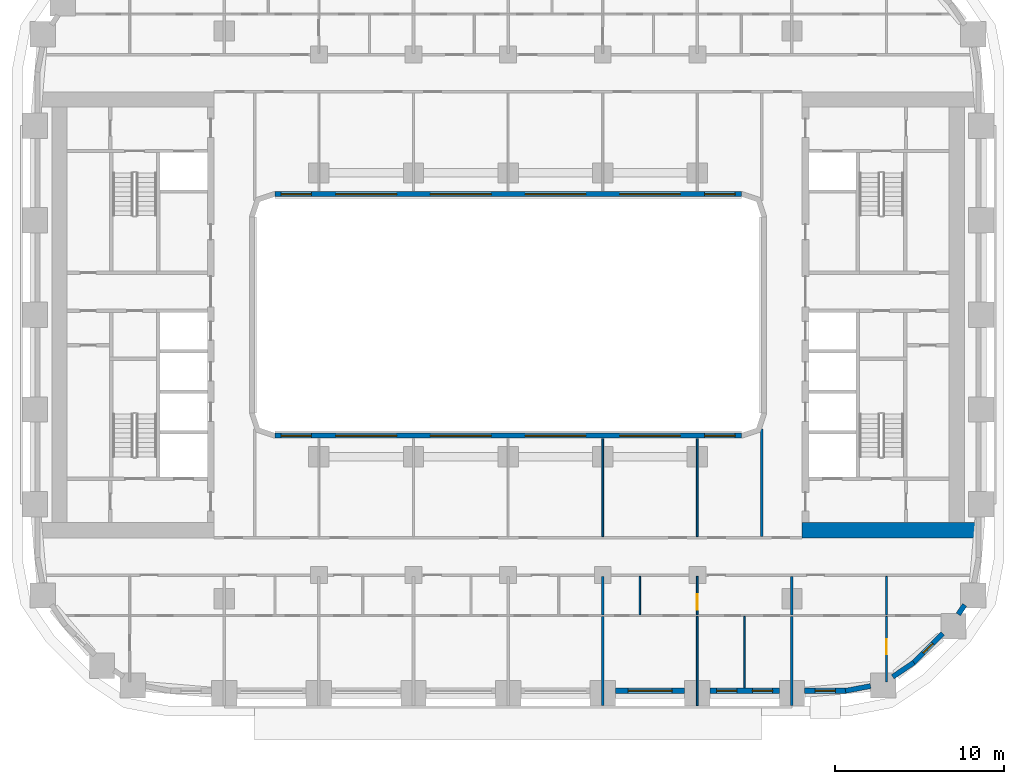
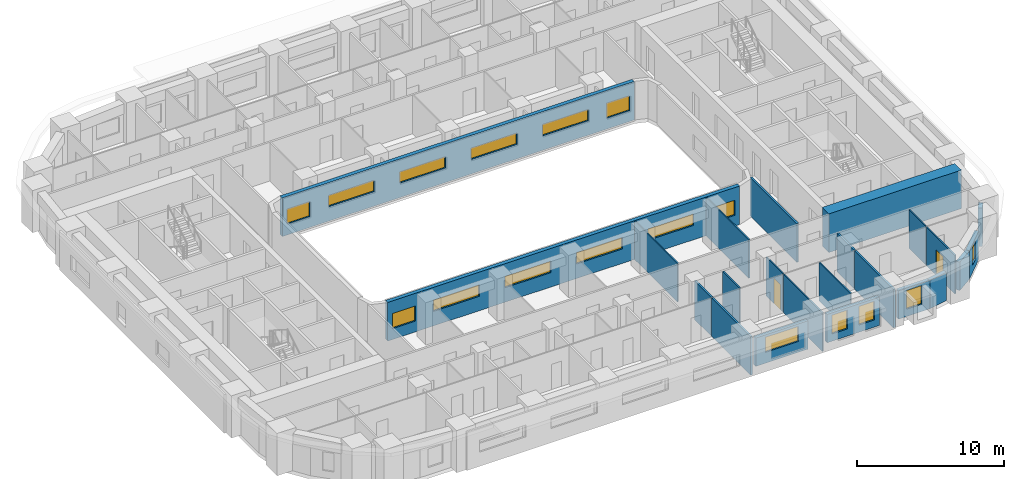
# One storey, part 5 of 21: 23 walls, 17 windows, 2 doors, 19 openings.
"""IFC4 building model written with IfcOpenShell, lengths in metres."""

from ifc_helpers import new_model, si_unit, direction, frame, frame_2d, origin, place, context, subcontext, project, spatial, rectangle, extrude, material, layer, layer_set, type_object, element, fill, save


model = new_model("IFC4")

# Units and contexts
model_context = context("Model", 3, precision=1e-05, world=origin(), true_north=direction((0.0, 1.0)))
body_context = subcontext(model_context, "Body", "Model", "MODEL_VIEW")
ifc_project = project(units=[si_unit("LENGTHUNIT", "METRE"), si_unit("AREAUNIT", "SQUARE_METRE"), si_unit("VOLUMEUNIT", "CUBIC_METRE"), si_unit("PLANEANGLEUNIT", "RADIAN"), si_unit("MASSUNIT", "GRAM", prefix="KILO")], contexts=[model_context])

# Site, building, storey
site_placement = place(None, origin())
site = spatial("IfcSite", under=ifc_project, at=site_placement, CompositionType="ELEMENT")
building_placement = place(site_placement, origin())
building = spatial("IfcBuilding", under=site, at=building_placement, Name="Kiln Ring Residences", CompositionType="ELEMENT")
storey_placement = place(building_placement, frame((0.0, 0.0, 34.0)))
storey = spatial("IfcBuildingStorey", under=building, at=storey_placement, Name="L07", CompositionType="ELEMENT", Elevation=34.0)

# Wall
ifc_material_1 = material(Name="Concrete C60/75", Category="concrete")
ifc_layer_1 = layer(ifc_material_1, 0.89990234375)
ifc_layer_set_1 = layer_set([ifc_layer_1], Name="CORE-WALL-RC900")
wall_type_1 = type_object("IfcWallType", Name="CORE-WALL-RC900", PredefinedType="SHEAR", material=ifc_layer_set_1)
wall_1_placement = place(storey_placement, frame((17.39990234375, -12.75, 0.0), z_axis=(0.0, 0.0, 1.0), x_axis=(1.0, 0.0, 0.0)))
element("IfcWall", 1, at=wall_1_placement, inside=storey, type_object=wall_type_1, Name="Core wall east L07 5", PredefinedType="SHEAR", context=body_context, shape_type="SweptSolid", body=[
    extrude(rectangle(XDim=10.400146484375, YDim=0.89990234375, at=frame_2d((5.2001953125, 0.0))), origin(), (0.0, 0.0, 1.0), 3.199951171875),
])

# Wall, opening, window
ifc_material_2 = material(Name="Brick masonry, dark clay brick", Category="masonry")
ifc_layer_2 = layer(ifc_material_2, 0.300048828125)
ifc_layer_set_2 = layer_set([ifc_layer_2], Name="EW-300 BRICK WALL")
wall_type_2 = type_object("IfcWallType", Name="EW-300 BRICK WALL", PredefinedType="SOLIDWALL", material=ifc_layer_set_2)
wall_2_placement = place(storey_placement, frame((6.35009765625, -22.25, 0.0), z_axis=(0.0, 0.0, 1.0), x_axis=(1.0, 0.0, 0.0)))
wall_2 = element("IfcWall", 2, at=wall_2_placement, inside=storey, type_object=wall_type_2, Name="Facade wall L07 9", PredefinedType="SOLIDWALL", context=body_context, shape_type="SweptSolid", body=[
    extrude(rectangle(XDim=4.099853515625, YDim=0.300048828125, at=frame_2d((2.0498046875, 0.0))), origin(), (0.0, 0.0, 1.0), 2.35009765625),
])
opening_1_placement = place(wall_2_placement, frame((0.75, 0.0, 0.89990234375)))
opening_1 = element("IfcOpeningElement", 3, at=opening_1_placement, cuts=wall_2, Name="Opening W3", PredefinedType="OPENING", context=body_context, shape_type="SweptSolid", body=[
    extrude(rectangle(XDim=2.60009765625, YDim=1.25, at=frame_2d((1.300048828125, 0.625))), frame((0.0, 0.159912109375, 0.0), z_axis=(0.0, -1.0, 0.0), x_axis=(1.0, 0.0, 0.0)), (0.0, 0.0, 1.0), 0.320068359375),
])
ifc_material_3 = material(Name="Aluminium frame with double glazing", Category="aluminium")
window_type_1 = type_object("IfcWindowType", Name="WINDOW 2600 x 1250", PartitioningType="SINGLE_PANEL", PredefinedType="WINDOW", material=ifc_material_3)
window_1_placement = place(opening_1_placement, origin())
window_1 = element("IfcWindow", 4, at=window_1_placement, inside=storey, type_object=window_type_1, Name="Window L07 7", OverallHeight=1.25, OverallWidth=2.60009765625, PartitioningType="SINGLE_PANEL", PredefinedType="WINDOW", context=body_context, shape_type="SweptSolid", body=[
    extrude(rectangle(XDim=2.60009765625, YDim=1.25, at=frame_2d((1.300048828125, 0.625))), frame((0.0, 0.030029296875, 0.0), z_axis=(0.0, -1.0, 0.0), x_axis=(1.0, 0.0, 0.0)), (0.0, 0.0, 1.0), 0.06005859375),
])
fill(opening_1, window_1)

# Wall, openings, windows
wall_3_placement = place(storey_placement, frame((11.949951171875, -22.25, 0.0), z_axis=(0.0, 0.0, 1.0), x_axis=(1.0, 0.0, 0.0)))
wall_3 = element("IfcWall", 5, at=wall_3_placement, inside=storey, type_object=wall_type_2, Name="Facade wall L07 10", PredefinedType="SOLIDWALL", context=body_context, shape_type="SweptSolid", body=[
    extrude(rectangle(XDim=4.10009765625, YDim=0.300048828125, at=frame_2d((2.050048828125, 0.0))), origin(), (0.0, 0.0, 1.0), 2.35009765625),
])
opening_2_placement = place(wall_3_placement, frame((0.387451171875, 0.0, 0.60009765625)))
opening_2 = element("IfcOpeningElement", 6, at=opening_2_placement, cuts=wall_3, Name="Opening W1", PredefinedType="OPENING", context=body_context, shape_type="SweptSolid", body=[
    extrude(rectangle(XDim=1.199951171875, YDim=1.550048828125, at=frame_2d((0.60009765625, 0.77490234375))), frame((0.0, 0.159912109375, 0.0), z_axis=(0.0, -1.0, 0.0), x_axis=(1.0, 0.0, 0.0)), (0.0, 0.0, 1.0), 0.320068359375),
])
opening_3_placement = place(wall_3_placement, frame((2.512451171875, 0.0, 0.60009765625)))
opening_3 = element("IfcOpeningElement", 7, at=opening_3_placement, cuts=wall_3, Name="Opening W1", PredefinedType="OPENING", context=body_context, shape_type="SweptSolid", body=[
    extrude(rectangle(XDim=1.199951171875, YDim=1.550048828125, at=frame_2d((0.60009765625, 0.77490234375))), frame((0.0, 0.159912109375, 0.0), z_axis=(0.0, -1.0, 0.0), x_axis=(1.0, 0.0, 0.0)), (0.0, 0.0, 1.0), 0.320068359375),
])
ifc_material_4 = material(Name="Aluminium frame with double glazing", Category="aluminium")
window_type_2 = type_object("IfcWindowType", Name="WINDOW 1200 x 1550", PartitioningType="SINGLE_PANEL", PredefinedType="WINDOW", material=ifc_material_4)
window_2_placement = place(opening_2_placement, origin())
window_2 = element("IfcWindow", 8, at=window_2_placement, inside=storey, type_object=window_type_2, Name="Window L07 8", OverallHeight=1.550048828125, OverallWidth=1.199951171875, PartitioningType="SINGLE_PANEL", PredefinedType="WINDOW", context=body_context, shape_type="SweptSolid", body=[
    extrude(rectangle(XDim=1.199951171875, YDim=1.550048828125, at=frame_2d((0.60009765625, 0.77490234375))), frame((0.0, 0.030029296875, 0.0), z_axis=(0.0, -1.0, 0.0), x_axis=(1.0, 0.0, 0.0)), (0.0, 0.0, 1.0), 0.06005859375),
])
fill(opening_2, window_2)
window_3_placement = place(opening_3_placement, origin())
window_3 = element("IfcWindow", 9, at=window_3_placement, inside=storey, type_object=window_type_2, Name="Window L07 9", OverallHeight=1.550048828125, OverallWidth=1.199951171875, PartitioningType="SINGLE_PANEL", PredefinedType="WINDOW", context=body_context, shape_type="SweptSolid", body=[
    extrude(rectangle(XDim=1.199951171875, YDim=1.550048828125, at=frame_2d((0.60009765625, 0.77490234375))), frame((0.0, 0.030029296875, 0.0), z_axis=(0.0, -1.0, 0.0), x_axis=(1.0, 0.0, 0.0)), (0.0, 0.0, 1.0), 0.06005859375),
])
fill(opening_3, window_3)

# Wall, opening, window
wall_4_placement = place(storey_placement, frame((17.550048828125, -22.25, 0.0), z_axis=(0.0, 0.0, 1.0), x_axis=(1.0, 0.0, 0.0)))
wall_4 = element("IfcWall", 10, at=wall_4_placement, inside=storey, type_object=wall_type_2, Name="Facade wall L07 11", PredefinedType="SOLIDWALL", context=body_context, shape_type="SweptSolid", body=[
    extrude(rectangle(XDim=2.449951171875, YDim=0.300048828125, at=frame_2d((1.22509765625, 0.0))), origin(), (0.0, 0.0, 1.0), 2.35009765625),
])
opening_4_placement = place(wall_4_placement, frame((0.625, 0.0, 0.60009765625)))
opening_4 = element("IfcOpeningElement", 11, at=opening_4_placement, cuts=wall_4, Name="Opening W1", PredefinedType="OPENING", context=body_context, shape_type="SweptSolid", body=[
    extrude(rectangle(XDim=1.199951171875, YDim=1.550048828125, at=frame_2d((0.60009765625, 0.77490234375))), frame((0.0, 0.159912109375, 0.0), z_axis=(0.0, -1.0, 0.0), x_axis=(1.0, 0.0, 0.0)), (0.0, 0.0, 1.0), 0.320068359375),
])
window_4_placement = place(opening_4_placement, origin())
window_4 = element("IfcWindow", 12, at=window_4_placement, inside=storey, type_object=window_type_2, Name="Window L07 10", OverallHeight=1.550048828125, OverallWidth=1.199951171875, PartitioningType="SINGLE_PANEL", PredefinedType="WINDOW", context=body_context, shape_type="SweptSolid", body=[
    extrude(rectangle(XDim=1.199951171875, YDim=1.550048828125, at=frame_2d((0.60009765625, 0.77490234375))), frame((0.0, 0.030029296875, 0.0), z_axis=(0.0, -1.0, 0.0), x_axis=(1.0, 0.0, 0.0)), (0.0, 0.0, 1.0), 0.06005859375),
])
fill(opening_4, window_4)

# Walls
for number, where, z_axis, x_axis, name in (
    (13, (19.971923828125, -22.252685546875, 0.0), (0.0, 0.0, 1.0), (0.982287454367, 0.187380247071, 0.0), "Facade wall L07 12"),
    (14, (22.76708984375, -21.425537109375, 0.0), (0.0, 0.0, 1.0), (0.827028997312, 0.562159263559, 0.0), "Facade wall L07 13"),
):
    element("IfcWall", number, at=place(storey_placement, frame(where, z_axis=z_axis, x_axis=x_axis)), inside=storey, type_object=wall_type_2, Name=name, PredefinedType="SOLIDWALL", context=body_context, shape_type="SweptSolid", body=[
        extrude(rectangle(XDim=1.506103515625, YDim=0.300048828125, at=frame_2d((0.7529296875, 0.0))), origin(), (0.0, 0.0, 1.0), 2.35009765625),
    ])

# Wall, opening, window
wall_5_placement = place(storey_placement, frame((23.990966796875, -20.596923828125, 0.0), z_axis=(0.0, 0.0, 1.0), x_axis=(0.707106781187, 0.707106781187, 0.0)))
wall_5 = element("IfcWall", 15, at=wall_5_placement, inside=storey, type_object=wall_type_2, Name="Facade wall L07 14", PredefinedType="SOLIDWALL", context=body_context, shape_type="SweptSolid", body=[
    extrude(rectangle(XDim=2.449951171875, YDim=0.300048828125, at=frame_2d((1.22509765625, 0.0))), origin(), (0.0, 0.0, 1.0), 2.35009765625),
])
opening_5_placement = place(wall_5_placement, frame((0.824951171875, 0.0, 0.60009765625)))
opening_5 = element("IfcOpeningElement", 16, at=opening_5_placement, cuts=wall_5, Name="Opening W5", PredefinedType="OPENING", context=body_context, shape_type="SweptSolid", body=[
    extrude(rectangle(XDim=0.800048828125, YDim=1.550048828125, at=frame_2d((0.39990234375, 0.77490234375))), frame((0.0, 0.159912109375, 0.0), z_axis=(0.0, -1.0, 0.0), x_axis=(1.0, 0.0, 0.0)), (0.0, 0.0, 1.0), 0.320068359375),
])
ifc_material_5 = material(Name="Aluminium frame with double glazing", Category="aluminium")
window_type_3 = type_object("IfcWindowType", Name="WINDOW 800 x 1550", PartitioningType="SINGLE_PANEL", PredefinedType="WINDOW", material=ifc_material_5)
window_5_placement = place(opening_5_placement, origin())
window_5 = element("IfcWindow", 17, at=window_5_placement, inside=storey, type_object=window_type_3, Name="Window L07 11", OverallHeight=1.550048828125, OverallWidth=0.800048828125, PartitioningType="SINGLE_PANEL", PredefinedType="WINDOW", context=body_context, shape_type="SweptSolid", body=[
    extrude(rectangle(XDim=0.800048828125, YDim=1.550048828125, at=frame_2d((0.39990234375, 0.77490234375))), frame((0.0, 0.030029296875, 0.0), z_axis=(0.0, -1.0, 0.0), x_axis=(1.0, 0.0, 0.0)), (0.0, 0.0, 1.0), 0.06005859375),
])
fill(opening_5, window_5)

# Wall
wall_6_placement = place(storey_placement, frame((26.644775390625, -17.72705078125, 0.0), z_axis=(0.0, 0.0, 1.0), x_axis=(0.562083182981, 0.827080706709, 0.0)))
element("IfcWall", 18, at=wall_6_placement, inside=storey, type_object=wall_type_2, Name="Facade wall L07 15", PredefinedType="SOLIDWALL", context=body_context, shape_type="SweptSolid", body=[
    extrude(rectangle(XDim=0.67724609375, YDim=0.300048828125, at=frame_2d((0.338623046875, 0.0))), origin(), (0.0, 0.0, 1.0), 3.199951171875),
])

# Wall, openings, windows
wall_7_placement = place(storey_placement, frame((-13.800048828125, 7.14990234375, 0.0), z_axis=(0.0, 0.0, 1.0), x_axis=(1.0, 0.0, 0.0)))
wall_7 = element("IfcWall", 19, at=wall_7_placement, inside=storey, type_object=wall_type_2, Name="Facade wall L07 50", PredefinedType="SOLIDWALL", context=body_context, shape_type="SweptSolid", body=[
    extrude(rectangle(XDim=27.60009765625, YDim=0.300048828125, at=frame_2d((13.800048828125, 0.0))), origin(), (0.0, 0.0, 1.0), 3.199951171875),
])
opening_6_placement = place(wall_7_placement, frame((0.362548828125, 0.0, 0.89990234375)))
opening_6 = element("IfcOpeningElement", 20, at=opening_6_placement, cuts=wall_7, Name="Opening W2", PredefinedType="OPENING", context=body_context, shape_type="SweptSolid", body=[
    extrude(rectangle(XDim=1.800048828125, YDim=1.25, at=frame_2d((0.89990234375, 0.625))), frame((0.0, 0.159912109375, 0.0), z_axis=(0.0, -1.0, 0.0), x_axis=(1.0, 0.0, 0.0)), (0.0, 0.0, 1.0), 0.320068359375),
])
opening_7_placement = place(wall_7_placement, frame((3.60009765625, 0.0, 1.199951171875)))
opening_7 = element("IfcOpeningElement", 21, at=opening_7_placement, cuts=wall_7, Name="Opening W4", PredefinedType="OPENING", context=body_context, shape_type="SweptSolid", body=[
    extrude(rectangle(XDim=3.60009765625, YDim=0.949951171875, at=frame_2d((1.800048828125, 0.47509765625))), frame((0.0, 0.159912109375, 0.0), z_axis=(0.0, -1.0, 0.0), x_axis=(1.0, 0.0, 0.0)), (0.0, 0.0, 1.0), 0.320068359375),
])
opening_8_placement = place(wall_7_placement, frame((9.199951171875, 0.0, 1.199951171875)))
opening_8 = element("IfcOpeningElement", 22, at=opening_8_placement, cuts=wall_7, Name="Opening W4", PredefinedType="OPENING", context=body_context, shape_type="SweptSolid", body=[
    extrude(rectangle(XDim=3.60009765625, YDim=0.949951171875, at=frame_2d((1.800048828125, 0.47509765625))), frame((0.0, 0.159912109375, 0.0), z_axis=(0.0, -1.0, 0.0), x_axis=(1.0, 0.0, 0.0)), (0.0, 0.0, 1.0), 0.320068359375),
])
opening_9_placement = place(wall_7_placement, frame((14.800048828125, 0.0, 1.199951171875)))
opening_9 = element("IfcOpeningElement", 23, at=opening_9_placement, cuts=wall_7, Name="Opening W4", PredefinedType="OPENING", context=body_context, shape_type="SweptSolid", body=[
    extrude(rectangle(XDim=3.60009765625, YDim=0.949951171875, at=frame_2d((1.800048828125, 0.47509765625))), frame((0.0, 0.159912109375, 0.0), z_axis=(0.0, -1.0, 0.0), x_axis=(1.0, 0.0, 0.0)), (0.0, 0.0, 1.0), 0.320068359375),
])
opening_10_placement = place(wall_7_placement, frame((20.39990234375, 0.0, 1.199951171875)))
opening_10 = element("IfcOpeningElement", 24, at=opening_10_placement, cuts=wall_7, Name="Opening W4", PredefinedType="OPENING", context=body_context, shape_type="SweptSolid", body=[
    extrude(rectangle(XDim=3.60009765625, YDim=0.949951171875, at=frame_2d((1.800048828125, 0.47509765625))), frame((0.0, 0.159912109375, 0.0), z_axis=(0.0, -1.0, 0.0), x_axis=(1.0, 0.0, 0.0)), (0.0, 0.0, 1.0), 0.320068359375),
])
opening_11_placement = place(wall_7_placement, frame((25.4375, 0.0, 0.89990234375)))
opening_11 = element("IfcOpeningElement", 25, at=opening_11_placement, cuts=wall_7, Name="Opening W2", PredefinedType="OPENING", context=body_context, shape_type="SweptSolid", body=[
    extrude(rectangle(XDim=1.800048828125, YDim=1.25, at=frame_2d((0.89990234375, 0.625))), frame((0.0, 0.159912109375, 0.0), z_axis=(0.0, -1.0, 0.0), x_axis=(1.0, 0.0, 0.0)), (0.0, 0.0, 1.0), 0.320068359375),
])
ifc_material_6 = material(Name="Aluminium frame with double glazing", Category="aluminium")
window_type_4 = type_object("IfcWindowType", Name="WINDOW 1800 x 1250", PartitioningType="SINGLE_PANEL", PredefinedType="WINDOW", material=ifc_material_6)
window_6_placement = place(opening_6_placement, origin())
window_6 = element("IfcWindow", 26, at=window_6_placement, inside=storey, type_object=window_type_4, Name="Window L07 24", OverallHeight=1.25, OverallWidth=1.800048828125, PartitioningType="SINGLE_PANEL", PredefinedType="WINDOW", context=body_context, shape_type="SweptSolid", body=[
    extrude(rectangle(XDim=1.800048828125, YDim=1.25, at=frame_2d((0.89990234375, 0.625))), frame((0.0, 0.030029296875, 0.0), z_axis=(0.0, -1.0, 0.0), x_axis=(1.0, 0.0, 0.0)), (0.0, 0.0, 1.0), 0.06005859375),
])
fill(opening_6, window_6)
window_7_placement = place(opening_11_placement, origin())
window_7 = element("IfcWindow", 27, at=window_7_placement, inside=storey, type_object=window_type_4, Name="Window L07 29", OverallHeight=1.25, OverallWidth=1.800048828125, PartitioningType="SINGLE_PANEL", PredefinedType="WINDOW", context=body_context, shape_type="SweptSolid", body=[
    extrude(rectangle(XDim=1.800048828125, YDim=1.25, at=frame_2d((0.89990234375, 0.625))), frame((0.0, 0.030029296875, 0.0), z_axis=(0.0, -1.0, 0.0), x_axis=(1.0, 0.0, 0.0)), (0.0, 0.0, 1.0), 0.06005859375),
])
fill(opening_11, window_7)
ifc_material_7 = material(Name="Aluminium frame with double glazing", Category="aluminium")
window_type_5 = type_object("IfcWindowType", Name="WINDOW 3600 x 950", PartitioningType="SINGLE_PANEL", PredefinedType="WINDOW", material=ifc_material_7)
window_8_placement = place(opening_7_placement, origin())
window_8 = element("IfcWindow", 28, at=window_8_placement, inside=storey, type_object=window_type_5, Name="Window L07 25", OverallHeight=0.949951171875, OverallWidth=3.60009765625, PartitioningType="SINGLE_PANEL", PredefinedType="WINDOW", context=body_context, shape_type="SweptSolid", body=[
    extrude(rectangle(XDim=3.60009765625, YDim=0.949951171875, at=frame_2d((1.800048828125, 0.47509765625))), frame((0.0, 0.030029296875, 0.0), z_axis=(0.0, -1.0, 0.0), x_axis=(1.0, 0.0, 0.0)), (0.0, 0.0, 1.0), 0.06005859375),
])
fill(opening_7, window_8)
window_9_placement = place(opening_8_placement, origin())
window_9 = element("IfcWindow", 29, at=window_9_placement, inside=storey, type_object=window_type_5, Name="Window L07 26", OverallHeight=0.949951171875, OverallWidth=3.60009765625, PartitioningType="SINGLE_PANEL", PredefinedType="WINDOW", context=body_context, shape_type="SweptSolid", body=[
    extrude(rectangle(XDim=3.60009765625, YDim=0.949951171875, at=frame_2d((1.800048828125, 0.47509765625))), frame((0.0, 0.030029296875, 0.0), z_axis=(0.0, -1.0, 0.0), x_axis=(1.0, 0.0, 0.0)), (0.0, 0.0, 1.0), 0.06005859375),
])
fill(opening_8, window_9)
window_10_placement = place(opening_9_placement, origin())
window_10 = element("IfcWindow", 30, at=window_10_placement, inside=storey, type_object=window_type_5, Name="Window L07 27", OverallHeight=0.949951171875, OverallWidth=3.60009765625, PartitioningType="SINGLE_PANEL", PredefinedType="WINDOW", context=body_context, shape_type="SweptSolid", body=[
    extrude(rectangle(XDim=3.60009765625, YDim=0.949951171875, at=frame_2d((1.800048828125, 0.47509765625))), frame((0.0, 0.030029296875, 0.0), z_axis=(0.0, -1.0, 0.0), x_axis=(1.0, 0.0, 0.0)), (0.0, 0.0, 1.0), 0.06005859375),
])
fill(opening_9, window_10)
window_11_placement = place(opening_10_placement, origin())
window_11 = element("IfcWindow", 31, at=window_11_placement, inside=storey, type_object=window_type_5, Name="Window L07 28", OverallHeight=0.949951171875, OverallWidth=3.60009765625, PartitioningType="SINGLE_PANEL", PredefinedType="WINDOW", context=body_context, shape_type="SweptSolid", body=[
    extrude(rectangle(XDim=3.60009765625, YDim=0.949951171875, at=frame_2d((1.800048828125, 0.47509765625))), frame((0.0, 0.030029296875, 0.0), z_axis=(0.0, -1.0, 0.0), x_axis=(1.0, 0.0, 0.0)), (0.0, 0.0, 1.0), 0.06005859375),
])
fill(opening_10, window_11)

wall_8_placement = place(storey_placement, frame((13.800048828125, -7.14990234375, 0.0), z_axis=(0.0, 0.0, 1.0), x_axis=(-1.0, 0.0, 0.0)))
wall_8 = element("IfcWall", 32, at=wall_8_placement, inside=storey, type_object=wall_type_2, Name="Facade wall L07 52", PredefinedType="SOLIDWALL", context=body_context, shape_type="SweptSolid", body=[
    extrude(rectangle(XDim=27.60009765625, YDim=0.300048828125, at=frame_2d((13.800048828125, 0.0))), origin(), (0.0, 0.0, 1.0), 3.199951171875),
])
opening_12_placement = place(wall_8_placement, frame((0.362548828125, 0.0, 0.89990234375)))
opening_12 = element("IfcOpeningElement", 33, at=opening_12_placement, cuts=wall_8, Name="Opening W2", PredefinedType="OPENING", context=body_context, shape_type="SweptSolid", body=[
    extrude(rectangle(XDim=1.800048828125, YDim=1.25, at=frame_2d((0.89990234375, 0.625))), frame((0.0, 0.159912109375, 0.0), z_axis=(0.0, -1.0, 0.0), x_axis=(1.0, 0.0, 0.0)), (0.0, 0.0, 1.0), 0.320068359375),
])
opening_13_placement = place(wall_8_placement, frame((3.60009765625, 0.0, 1.199951171875)))
opening_13 = element("IfcOpeningElement", 34, at=opening_13_placement, cuts=wall_8, Name="Opening W4", PredefinedType="OPENING", context=body_context, shape_type="SweptSolid", body=[
    extrude(rectangle(XDim=3.60009765625, YDim=0.949951171875, at=frame_2d((1.800048828125, 0.47509765625))), frame((0.0, 0.159912109375, 0.0), z_axis=(0.0, -1.0, 0.0), x_axis=(1.0, 0.0, 0.0)), (0.0, 0.0, 1.0), 0.320068359375),
])
opening_14_placement = place(wall_8_placement, frame((9.199951171875, 0.0, 1.199951171875)))
opening_14 = element("IfcOpeningElement", 35, at=opening_14_placement, cuts=wall_8, Name="Opening W4", PredefinedType="OPENING", context=body_context, shape_type="SweptSolid", body=[
    extrude(rectangle(XDim=3.60009765625, YDim=0.949951171875, at=frame_2d((1.800048828125, 0.47509765625))), frame((0.0, 0.159912109375, 0.0), z_axis=(0.0, -1.0, 0.0), x_axis=(1.0, 0.0, 0.0)), (0.0, 0.0, 1.0), 0.320068359375),
])
opening_15_placement = place(wall_8_placement, frame((14.800048828125, 0.0, 1.199951171875)))
opening_15 = element("IfcOpeningElement", 36, at=opening_15_placement, cuts=wall_8, Name="Opening W4", PredefinedType="OPENING", context=body_context, shape_type="SweptSolid", body=[
    extrude(rectangle(XDim=3.60009765625, YDim=0.949951171875, at=frame_2d((1.800048828125, 0.47509765625))), frame((0.0, 0.159912109375, 0.0), z_axis=(0.0, -1.0, 0.0), x_axis=(1.0, 0.0, 0.0)), (0.0, 0.0, 1.0), 0.320068359375),
])
opening_16_placement = place(wall_8_placement, frame((20.39990234375, 0.0, 1.199951171875)))
opening_16 = element("IfcOpeningElement", 37, at=opening_16_placement, cuts=wall_8, Name="Opening W4", PredefinedType="OPENING", context=body_context, shape_type="SweptSolid", body=[
    extrude(rectangle(XDim=3.60009765625, YDim=0.949951171875, at=frame_2d((1.800048828125, 0.47509765625))), frame((0.0, 0.159912109375, 0.0), z_axis=(0.0, -1.0, 0.0), x_axis=(1.0, 0.0, 0.0)), (0.0, 0.0, 1.0), 0.320068359375),
])
opening_17_placement = place(wall_8_placement, frame((25.4375, 0.0, 0.89990234375)))
opening_17 = element("IfcOpeningElement", 38, at=opening_17_placement, cuts=wall_8, Name="Opening W2", PredefinedType="OPENING", context=body_context, shape_type="SweptSolid", body=[
    extrude(rectangle(XDim=1.800048828125, YDim=1.25, at=frame_2d((0.89990234375, 0.625))), frame((0.0, 0.159912109375, 0.0), z_axis=(0.0, -1.0, 0.0), x_axis=(1.0, 0.0, 0.0)), (0.0, 0.0, 1.0), 0.320068359375),
])
window_12_placement = place(opening_12_placement, origin())
window_12 = element("IfcWindow", 39, at=window_12_placement, inside=storey, type_object=window_type_4, Name="Window L07 30", OverallHeight=1.25, OverallWidth=1.800048828125, PartitioningType="SINGLE_PANEL", PredefinedType="WINDOW", context=body_context, shape_type="SweptSolid", body=[
    extrude(rectangle(XDim=1.800048828125, YDim=1.25, at=frame_2d((0.89990234375, 0.625))), frame((0.0, 0.030029296875, 0.0), z_axis=(0.0, -1.0, 0.0), x_axis=(1.0, 0.0, 0.0)), (0.0, 0.0, 1.0), 0.06005859375),
])
fill(opening_12, window_12)
window_13_placement = place(opening_17_placement, origin())
window_13 = element("IfcWindow", 40, at=window_13_placement, inside=storey, type_object=window_type_4, Name="Window L07 35", OverallHeight=1.25, OverallWidth=1.800048828125, PartitioningType="SINGLE_PANEL", PredefinedType="WINDOW", context=body_context, shape_type="SweptSolid", body=[
    extrude(rectangle(XDim=1.800048828125, YDim=1.25, at=frame_2d((0.89990234375, 0.625))), frame((0.0, 0.030029296875, 0.0), z_axis=(0.0, -1.0, 0.0), x_axis=(1.0, 0.0, 0.0)), (0.0, 0.0, 1.0), 0.06005859375),
])
fill(opening_17, window_13)
window_14_placement = place(opening_13_placement, origin())
window_14 = element("IfcWindow", 41, at=window_14_placement, inside=storey, type_object=window_type_5, Name="Window L07 31", OverallHeight=0.949951171875, OverallWidth=3.60009765625, PartitioningType="SINGLE_PANEL", PredefinedType="WINDOW", context=body_context, shape_type="SweptSolid", body=[
    extrude(rectangle(XDim=3.60009765625, YDim=0.949951171875, at=frame_2d((1.800048828125, 0.47509765625))), frame((0.0, 0.030029296875, 0.0), z_axis=(0.0, -1.0, 0.0), x_axis=(1.0, 0.0, 0.0)), (0.0, 0.0, 1.0), 0.06005859375),
])
fill(opening_13, window_14)
window_15_placement = place(opening_14_placement, origin())
window_15 = element("IfcWindow", 42, at=window_15_placement, inside=storey, type_object=window_type_5, Name="Window L07 32", OverallHeight=0.949951171875, OverallWidth=3.60009765625, PartitioningType="SINGLE_PANEL", PredefinedType="WINDOW", context=body_context, shape_type="SweptSolid", body=[
    extrude(rectangle(XDim=3.60009765625, YDim=0.949951171875, at=frame_2d((1.800048828125, 0.47509765625))), frame((0.0, 0.030029296875, 0.0), z_axis=(0.0, -1.0, 0.0), x_axis=(1.0, 0.0, 0.0)), (0.0, 0.0, 1.0), 0.06005859375),
])
fill(opening_14, window_15)
window_16_placement = place(opening_15_placement, origin())
window_16 = element("IfcWindow", 43, at=window_16_placement, inside=storey, type_object=window_type_5, Name="Window L07 33", OverallHeight=0.949951171875, OverallWidth=3.60009765625, PartitioningType="SINGLE_PANEL", PredefinedType="WINDOW", context=body_context, shape_type="SweptSolid", body=[
    extrude(rectangle(XDim=3.60009765625, YDim=0.949951171875, at=frame_2d((1.800048828125, 0.47509765625))), frame((0.0, 0.030029296875, 0.0), z_axis=(0.0, -1.0, 0.0), x_axis=(1.0, 0.0, 0.0)), (0.0, 0.0, 1.0), 0.06005859375),
])
fill(opening_15, window_16)
window_17_placement = place(opening_16_placement, origin())
window_17 = element("IfcWindow", 44, at=window_17_placement, inside=storey, type_object=window_type_5, Name="Window L07 34", OverallHeight=0.949951171875, OverallWidth=3.60009765625, PartitioningType="SINGLE_PANEL", PredefinedType="WINDOW", context=body_context, shape_type="SweptSolid", body=[
    extrude(rectangle(XDim=3.60009765625, YDim=0.949951171875, at=frame_2d((1.800048828125, 0.47509765625))), frame((0.0, 0.030029296875, 0.0), z_axis=(0.0, -1.0, 0.0), x_axis=(1.0, 0.0, 0.0)), (0.0, 0.0, 1.0), 0.06005859375),
])
fill(opening_16, window_17)

# Walls
ifc_material_8 = material(Name="Gypsum board on steel studs", Category="steel")
ifc_layer_3 = layer(ifc_material_8, 0.10009765625)
ifc_layer_set_3 = layer_set([ifc_layer_3], Name="PARTITION-100")
wall_type_3 = type_object("IfcWallType", Name="PARTITION-100", PredefinedType="PARTITIONING", material=ifc_layer_set_3)
wall_9_placement = place(storey_placement, frame((5.60009765625, -13.125, 0.0), z_axis=(0.0, 0.0, 1.0), x_axis=(0.0, 1.0, 0.0)))
element("IfcWall", 45, at=wall_9_placement, inside=storey, type_object=wall_type_3, Name="Partition 042", PredefinedType="PARTITIONING", context=body_context, shape_type="SweptSolid", body=[
    extrude(rectangle(XDim=5.804931640625, YDim=0.10009765625, at=frame_2d((2.90234375, 0.0))), origin(), (0.0, 0.0, 1.0), 3.199951171875),
])
wall_10_placement = place(storey_placement, frame((7.800048828125, -17.75, 0.0), z_axis=(0.0, 0.0, 1.0), x_axis=(0.0, 1.0, 0.0)))
element("IfcWall", 46, at=wall_10_placement, inside=storey, type_object=wall_type_3, Name="Partition 048", PredefinedType="PARTITIONING", context=body_context, shape_type="SweptSolid", body=[
    extrude(rectangle(XDim=2.27490234375, YDim=0.10009765625, at=frame_2d((1.137451171875, 0.0))), origin(), (0.0, 0.0, 1.0), 3.199951171875),
])
wall_11_placement = place(storey_placement, frame((11.199951171875, -23.1298828125, 0.0), z_axis=(0.0, 0.0, 1.0), x_axis=(0.0, 1.0, 0.0)))
element("IfcWall", 47, at=wall_11_placement, inside=storey, type_object=wall_type_3, Name="Partition 050", PredefinedType="PARTITIONING", context=body_context, shape_type="SweptSolid", body=[
    extrude(rectangle(XDim=5.27978515625, YDim=0.10009765625, at=frame_2d((2.639892578125, 0.0))), origin(), (0.0, 0.0, 1.0), 3.199951171875),
])

# Wall, opening, door
wall_12_placement = place(storey_placement, frame((11.199951171875, -17.75, 0.0), z_axis=(0.0, 0.0, 1.0), x_axis=(0.0, 1.0, 0.0)))
wall_12 = element("IfcWall", 48, at=wall_12_placement, inside=storey, type_object=wall_type_3, Name="Partition 051", PredefinedType="PARTITIONING", context=body_context, shape_type="SweptSolid", body=[
    extrude(rectangle(XDim=2.27490234375, YDim=0.10009765625, at=frame_2d((1.137451171875, 0.0))), origin(), (0.0, 0.0, 1.0), 3.199951171875),
])
opening_18_placement = place(wall_12_placement, frame((0.299072265625, 0.0, 0.0)))
opening_18 = element("IfcOpeningElement", 49, at=opening_18_placement, cuts=wall_12, Name="Opening L07-D060", PredefinedType="OPENING", context=body_context, shape_type="SweptSolid", body=[
    extrude(rectangle(XDim=0.89990234375, YDim=2.10009765625, at=frame_2d((0.449951171875, 1.050048828125))), frame((0.0, 0.06005859375, 0.0), z_axis=(0.0, -1.0, 0.0), x_axis=(1.0, 0.0, 0.0)), (0.0, 0.0, 1.0), 0.1201171875),
])
ifc_material_9 = material(Name="Timber door leaf", Category="wood")
door_type = type_object("IfcDoorType", Name="FLAT-DOOR-900-PL", OperationType="SINGLE_SWING_LEFT", PredefinedType="DOOR", material=ifc_material_9)
door_1_placement = place(opening_18_placement, origin())
door_1 = element("IfcDoor", 50, at=door_1_placement, inside=storey, type_object=door_type, Name="Door L07-D060", OperationType="SINGLE_SWING_RIGHT", OverallHeight=2.10009765625, OverallWidth=0.89990234375, PredefinedType="DOOR", context=body_context, shape_type="SweptSolid", body=[
    extrude(rectangle(XDim=0.89990234375, YDim=2.10009765625, at=frame_2d((0.449951171875, 1.050048828125))), frame((0.0, 0.02490234375, 0.0), z_axis=(0.0, -1.0, 0.0), x_axis=(1.0, 0.0, 0.0)), (0.0, 0.0, 1.0), 0.050048828125),
])
fill(opening_18, door_1)

# Walls
wall_13_placement = place(storey_placement, frame((11.199951171875, -13.125, 0.0), z_axis=(0.0, 0.0, 1.0), x_axis=(0.0, 1.0, 0.0)))
element("IfcWall", 51, at=wall_13_placement, inside=storey, type_object=wall_type_3, Name="Partition 052", PredefinedType="PARTITIONING", context=body_context, shape_type="SweptSolid", body=[
    extrude(rectangle(XDim=5.804931640625, YDim=0.10009765625, at=frame_2d((2.90234375, 0.0))), origin(), (0.0, 0.0, 1.0), 3.199951171875),
])
wall_14_placement = place(storey_placement, frame((14.0, -22.080078125, 0.0), z_axis=(0.0, 0.0, 1.0), x_axis=(0.0, 1.0, 0.0)))
element("IfcWall", 52, at=wall_14_placement, inside=storey, type_object=wall_type_3, Name="Partition 057", PredefinedType="PARTITIONING", context=body_context, shape_type="SweptSolid", body=[
    extrude(rectangle(XDim=4.22998046875, YDim=0.10009765625, at=frame_2d((2.114990234375, 0.0))), origin(), (0.0, 0.0, 1.0), 3.199951171875),
])

# Wall, opening, door
wall_15_placement = place(storey_placement, frame((22.39990234375, -21.719970703125, 0.0), z_axis=(0.0, 0.0, 1.0), x_axis=(0.0, 1.0, 0.0)))
wall_15 = element("IfcWall", 53, at=wall_15_placement, inside=storey, type_object=wall_type_3, Name="Partition 064", PredefinedType="PARTITIONING", context=body_context, shape_type="SweptSolid", body=[
    extrude(rectangle(XDim=3.869873046875, YDim=0.10009765625, at=frame_2d((1.93505859375, 0.0))), origin(), (0.0, 0.0, 1.0), 3.199951171875),
])
opening_19_placement = place(wall_15_placement, frame((1.6220703125, 0.0, 0.0)))
opening_19 = element("IfcOpeningElement", 54, at=opening_19_placement, cuts=wall_15, Name="Opening L07-D068", PredefinedType="OPENING", context=body_context, shape_type="SweptSolid", body=[
    extrude(rectangle(XDim=0.89990234375, YDim=2.10009765625, at=frame_2d((0.449951171875, 1.050048828125))), frame((0.0, 0.06005859375, 0.0), z_axis=(0.0, -1.0, 0.0), x_axis=(1.0, 0.0, 0.0)), (0.0, 0.0, 1.0), 0.1201171875),
])
door_2_placement = place(opening_19_placement, origin())
door_2 = element("IfcDoor", 55, at=door_2_placement, inside=storey, type_object=door_type, Name="Door L07-D068", OperationType="SINGLE_SWING_RIGHT", OverallHeight=2.10009765625, OverallWidth=0.89990234375, PredefinedType="DOOR", context=body_context, shape_type="SweptSolid", body=[
    extrude(rectangle(XDim=0.89990234375, YDim=2.10009765625, at=frame_2d((0.449951171875, 1.050048828125))), frame((0.0, 0.02490234375, 0.0), z_axis=(0.0, -1.0, 0.0), x_axis=(1.0, 0.0, 0.0)), (0.0, 0.0, 1.0), 0.050048828125),
])
fill(opening_19, door_2)

# Walls
wall_16_placement = place(storey_placement, frame((22.39990234375, -17.75, 0.0), z_axis=(0.0, 0.0, 1.0), x_axis=(0.0, 1.0, 0.0)))
element("IfcWall", 56, at=wall_16_placement, inside=storey, type_object=wall_type_3, Name="Partition 065", PredefinedType="PARTITIONING", context=body_context, shape_type="SweptSolid", body=[
    extrude(rectangle(XDim=2.27490234375, YDim=0.10009765625, at=frame_2d((1.137451171875, 0.0))), origin(), (0.0, 0.0, 1.0), 3.199951171875),
])
ifc_material_10 = material(Name="Brick masonry partition", Category="masonry")
ifc_layer_4 = layer(ifc_material_10, 0.14990234375)
ifc_layer_set_4 = layer_set([ifc_layer_4], Name="PARTITION-150-ei60")
wall_type_4 = type_object("IfcWallType", Name="PARTITION-150-ei60", PredefinedType="PARTITIONING", material=ifc_layer_set_4)
wall_17_placement = place(storey_placement, frame((5.60009765625, -23.1298828125, 0.0), z_axis=(0.0, 0.0, 1.0), x_axis=(0.0, 1.0, 0.0)))
element("IfcWall", 57, at=wall_17_placement, inside=storey, type_object=wall_type_4, Name="Partition 046", PredefinedType="PARTITIONING", context=body_context, shape_type="SweptSolid", body=[
    extrude(rectangle(XDim=5.27978515625, YDim=0.14990234375, at=frame_2d((2.639892578125, 0.0))), origin(), (0.0, 0.0, 1.0), 3.199951171875),
])
wall_18_placement = place(storey_placement, frame((5.60009765625, -17.75, 0.0), z_axis=(0.0, 0.0, 1.0), x_axis=(0.0, 1.0, 0.0)))
element("IfcWall", 58, at=wall_18_placement, inside=storey, type_object=wall_type_4, Name="Partition 047", PredefinedType="PARTITIONING", context=body_context, shape_type="SweptSolid", body=[
    extrude(rectangle(XDim=2.27490234375, YDim=0.14990234375, at=frame_2d((1.137451171875, 0.0))), origin(), (0.0, 0.0, 1.0), 3.199951171875),
])
wall_19_placement = place(storey_placement, frame((15.0, -13.125, 0.0), z_axis=(0.0, 0.0, 1.0), x_axis=(0.0, 1.0, 0.0)))
element("IfcWall", 59, at=wall_19_placement, inside=storey, type_object=wall_type_4, Name="Partition 058", PredefinedType="PARTITIONING", context=body_context, shape_type="SweptSolid", body=[
    extrude(rectangle(XDim=6.356201171875, YDim=0.14990234375, at=frame_2d((3.17822265625, 0.0))), origin(), (0.0, 0.0, 1.0), 3.199951171875),
])
wall_20_placement = place(storey_placement, frame((16.800048828125, -23.1298828125, 0.0), z_axis=(0.0, 0.0, 1.0), x_axis=(0.0, 1.0, 0.0)))
element("IfcWall", 60, at=wall_20_placement, inside=storey, type_object=wall_type_4, Name="Partition 060", PredefinedType="PARTITIONING", context=body_context, shape_type="SweptSolid", body=[
    extrude(rectangle(XDim=5.27978515625, YDim=0.14990234375, at=frame_2d((2.639892578125, 0.0))), origin(), (0.0, 0.0, 1.0), 3.199951171875),
])
wall_21_placement = place(storey_placement, frame((16.800048828125, -17.75, 0.0), z_axis=(0.0, 0.0, 1.0), x_axis=(0.0, 1.0, 0.0)))
element("IfcWall", 61, at=wall_21_placement, inside=storey, type_object=wall_type_4, Name="Partition 061", PredefinedType="PARTITIONING", context=body_context, shape_type="SweptSolid", body=[
    extrude(rectangle(XDim=2.27490234375, YDim=0.14990234375, at=frame_2d((1.137451171875, 0.0))), origin(), (0.0, 0.0, 1.0), 3.199951171875),
])

save(model, "model.ifc")
